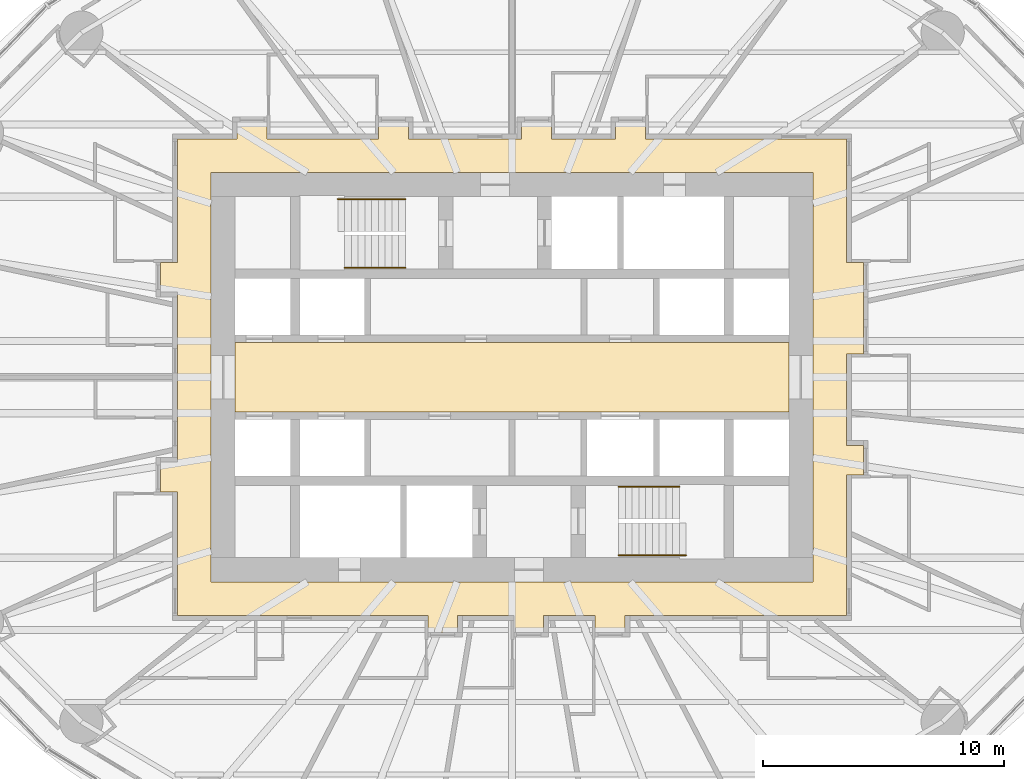
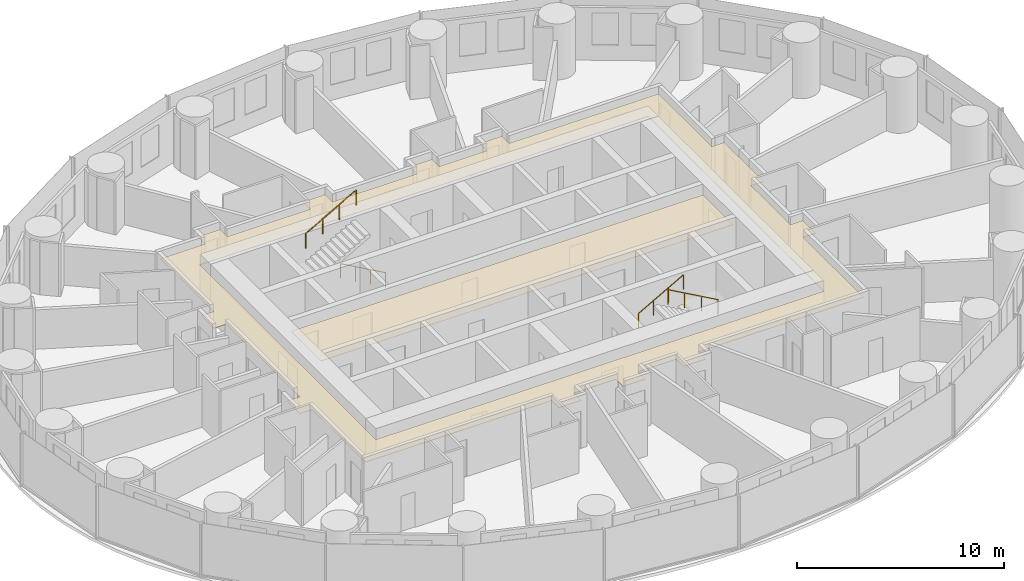
# One storey, part 14 of 14: 4 railings, 2 coverings.
"""IFC4 building model written with IfcOpenShell, lengths in metres."""

from ifc_helpers import new_model, si_unit, direction, frame, origin, origin_2d, place, context, subcontext, project, spatial, polyline, circle, outline, extrude, material, layer, layer_set, type_object, element, save


model = new_model("IFC4")

# Units and contexts
model_context = context("Model", 3, precision=1e-05, world=origin(), true_north=direction((0.0, 1.0)))
body_context = subcontext(model_context, "Body", "Model", "MODEL_VIEW")
ifc_project = project(units=[si_unit("LENGTHUNIT", "METRE"), si_unit("AREAUNIT", "SQUARE_METRE"), si_unit("VOLUMEUNIT", "CUBIC_METRE"), si_unit("PLANEANGLEUNIT", "RADIAN"), si_unit("MASSUNIT", "GRAM", prefix="KILO")], contexts=[model_context])

# Site, building, storey
site_placement = place(None, origin())
site = spatial("IfcSite", under=ifc_project, at=site_placement, CompositionType="ELEMENT")
building_placement = place(site_placement, origin())
building = spatial("IfcBuilding", under=site, at=building_placement, Name="Hankou Lantern Tower", CompositionType="ELEMENT")
storey_placement = place(building_placement, frame((0.0, 0.0, 29.39990234375)))
storey = spatial("IfcBuildingStorey", under=building, at=storey_placement, Name="L05", CompositionType="ELEMENT", Elevation=29.39990234375)

# Coverings
ifc_material_1 = material(Name="Black painted aluminium linear ceiling panels", Category="aluminium")
ifc_layer_1 = layer(ifc_material_1, 0.02490234375)
ifc_layer_set_1 = layer_set([ifc_layer_1], Name="Black painted aluminium linear ceiling panels")
covering_type_1 = type_object("IfcCoveringType", Name="CL1 CORRIDOR CEILING 25", PredefinedType="CEILING", material=ifc_layer_set_1)
covering_1_placement = place(storey_placement, frame((0.0, 0.0, 2.64501953125)))
element("IfcCovering", 1, at=covering_1_placement, inside=storey, type_object=covering_type_1, Name="Corridor ceiling L05", PredefinedType="CEILING", context=body_context, shape_type="SweptSolid", body=[
    extrude(outline(polyline([(-3.49853515625, -10.60009765625), (-2.258544921875, -10.60009765625), (-2.258544921875, -9.89990234375), (0.074951171875, -9.89990234375), (0.074951171875, -10.60009765625), (1.31494140625, -10.60009765625), (1.31494140625, -9.89990234375), (3.455078125, -9.89990234375), (3.455078125, -10.60009765625), (4.695068359375, -10.60009765625), (4.695068359375, -9.89990234375), (13.89990234375, -9.89990234375), (13.89990234375, -4.072509765625), (14.60009765625, -4.072509765625), (14.60009765625, -2.83251953125), (13.89990234375, -2.83251953125), (13.89990234375, 0.9580078125), (14.60009765625, 0.9580078125), (14.60009765625, 4.7724609375), (13.89990234375, 4.7724609375), (13.89990234375, 9.89990234375), (5.549072265625, 9.89990234375), (5.549072265625, 10.60009765625), (4.30908203125, 10.60009765625), (4.30908203125, 9.89990234375), (1.642822265625, 9.89990234375), (1.642822265625, 10.60009765625), (0.40283203125, 10.60009765625), (0.40283203125, 9.89990234375), (-4.30908203125, 9.89990234375), (-4.30908203125, 10.60009765625), (-5.549072265625, 10.60009765625), (-5.549072265625, 9.89990234375), (-10.178955078125, 9.89990234375), (-10.178955078125, 10.60009765625), (-11.4189453125, 10.60009765625), (-11.4189453125, 9.89990234375), (-13.89990234375, 9.89990234375), (-13.89990234375, 4.7724609375), (-14.60009765625, 4.7724609375), (-14.60009765625, 3.532470703125), (-13.89990234375, 3.532470703125), (-13.89990234375, -3.532470703125), (-14.60009765625, -3.532470703125), (-14.60009765625, -4.7724609375), (-13.89990234375, -4.7724609375), (-13.89990234375, -9.89990234375), (-3.49853515625, -9.89990234375), (-3.49853515625, -10.60009765625)]), holes=[polyline([(-12.5, 8.5), (12.5, 8.5), (12.5, -8.5), (-12.5, -8.5), (-12.5, 8.5)])]), origin(), (0.0, 0.0, 1.0), 0.025146484375),
])
ifc_material_2 = material(Name="Perforated black aluminium acoustic tray ceiling", Category="aluminium")
ifc_layer_2 = layer(ifc_material_2, 0.014892578125)
ifc_layer_set_2 = layer_set([ifc_layer_2], Name="Perforated black aluminium acoustic tray ceiling")
covering_type_2 = type_object("IfcCoveringType", Name="CL2 LIFT LOBBY CEILING 15", PredefinedType="CEILING", material=ifc_layer_set_2)
covering_2_placement = place(storey_placement, frame((0.0, 0.0, 2.655029296875)))
element("IfcCovering", 2, at=covering_2_placement, inside=storey, type_object=covering_type_2, Name="Lift lobby ceiling L05", PredefinedType="CEILING", context=body_context, shape_type="SweptSolid", body=[
    extrude(outline(polyline([(-11.5, -1.449951171875), (11.5, -1.449951171875), (11.5, 1.449951171875), (-11.5, 1.449951171875), (-11.5, -1.449951171875)])), origin(), (0.0, 0.0, 1.0), 0.01513671875),
])

# Railings
ifc_material_3 = material(Name="Steel handrail", Category="steel")
railing_type = type_object("IfcRailingType", Name="HR1 STAIR HANDRAIL", PredefinedType="HANDRAIL", material=ifc_material_3)
railing_1_placement = place(storey_placement, frame((-4.429931640625, 4.550048828125, 0.900146484375)))
element("IfcRailing", 3, at=railing_1_placement, inside=storey, type_object=railing_type, Name="Handrail stair STA L05 flight 1", PredefinedType="HANDRAIL", context=body_context, shape_type="SweptSolid", body=[
    extrude(circle(Radius=0.02392578125, at=origin_2d()), frame((0.0, 0.0, 0.8759765625), z_axis=(-0.872048945198, 0.0, 0.489418672692), x_axis=(0.0, -1.0, 0.0)), (0.0, 0.0, 1.0), 2.8896484375),
    extrude(circle(Radius=0.02099609375, at=origin_2d()), origin(), (0.0, 0.0, 1.0), 0.851806640625),
    extrude(circle(Radius=0.02099609375, at=origin_2d()), frame((-0.840087890625, 0.0, 0.471435546875)), (0.0, 0.0, 1.0), 0.851806640625),
    extrude(circle(Radius=0.02099609375, at=origin_2d()), frame((-1.679931640625, 0.0, 0.94287109375)), (0.0, 0.0, 1.0), 0.851806640625),
    extrude(circle(Radius=0.02099609375, at=origin_2d()), frame((-2.52001953125, 0.0, 1.414306640625)), (0.0, 0.0, 1.0), 0.851806640625),
])
railing_2_placement = place(storey_placement, frame((-7.22998046875, 7.39990234375, 2.471435546875)))
element("IfcRailing", 4, at=railing_2_placement, inside=storey, type_object=railing_type, Name="Handrail stair STA L05 flight 2", PredefinedType="HANDRAIL", context=body_context, shape_type="SweptSolid", body=[
    extrude(circle(Radius=0.02392578125, at=origin_2d()), frame((0.0, 0.0, 0.8759765625), z_axis=(0.872040151574, 0.0, 0.489434340891), x_axis=(0.0, 1.0, 0.0)), (0.0, 0.0, 1.0), 3.2109375),
    extrude(circle(Radius=0.02099609375, at=origin_2d()), origin(), (0.0, 0.0, 1.0), 0.851806640625),
    extrude(circle(Radius=0.02099609375, at=origin_2d()), frame((0.933349609375, 0.0, 0.52392578125)), (0.0, 0.0, 1.0), 0.851806640625),
    extrude(circle(Radius=0.02099609375, at=origin_2d()), frame((1.86669921875, 0.0, 1.047607421875)), (0.0, 0.0, 1.0), 0.851806640625),
    extrude(circle(Radius=0.02099609375, at=origin_2d()), frame((2.800048828125, 0.0, 1.571533203125)), (0.0, 0.0, 1.0), 0.851806640625),
])
railing_3_placement = place(storey_placement, frame((4.429931640625, -4.550048828125, 0.900146484375)))
element("IfcRailing", 5, at=railing_3_placement, inside=storey, type_object=railing_type, Name="Handrail stair STB L05 flight 1", PredefinedType="HANDRAIL", context=body_context, shape_type="SweptSolid", body=[
    extrude(circle(Radius=0.02392578125, at=origin_2d()), frame((0.0, 0.0, 0.8759765625), z_axis=(0.872048945198, 0.0, 0.489418672692), x_axis=(0.0, 1.0, 0.0)), (0.0, 0.0, 1.0), 2.8896484375),
    extrude(circle(Radius=0.02099609375, at=origin_2d()), origin(), (0.0, 0.0, 1.0), 0.851806640625),
    extrude(circle(Radius=0.02099609375, at=origin_2d()), frame((0.840087890625, 0.0, 0.471435546875)), (0.0, 0.0, 1.0), 0.851806640625),
    extrude(circle(Radius=0.02099609375, at=origin_2d()), frame((1.679931640625, 0.0, 0.94287109375)), (0.0, 0.0, 1.0), 0.851806640625),
    extrude(circle(Radius=0.02099609375, at=origin_2d()), frame((2.52001953125, 0.0, 1.414306640625)), (0.0, 0.0, 1.0), 0.851806640625),
])
railing_4_placement = place(storey_placement, frame((7.22998046875, -7.39990234375, 2.471435546875)))
element("IfcRailing", 6, at=railing_4_placement, inside=storey, type_object=railing_type, Name="Handrail stair STB L05 flight 2", PredefinedType="HANDRAIL", context=body_context, shape_type="SweptSolid", body=[
    extrude(circle(Radius=0.02392578125, at=origin_2d()), frame((0.0, 0.0, 0.8759765625), z_axis=(-0.872040151574, 0.0, 0.489434340891), x_axis=(0.0, -1.0, 0.0)), (0.0, 0.0, 1.0), 3.2109375),
    extrude(circle(Radius=0.02099609375, at=origin_2d()), origin(), (0.0, 0.0, 1.0), 0.851806640625),
    extrude(circle(Radius=0.02099609375, at=origin_2d()), frame((-0.933349609375, 0.0, 0.52392578125)), (0.0, 0.0, 1.0), 0.851806640625),
    extrude(circle(Radius=0.02099609375, at=origin_2d()), frame((-1.86669921875, 0.0, 1.047607421875)), (0.0, 0.0, 1.0), 0.851806640625),
    extrude(circle(Radius=0.02099609375, at=origin_2d()), frame((-2.800048828125, 0.0, 1.571533203125)), (0.0, 0.0, 1.0), 0.851806640625),
])

save(model, "model.ifc")
